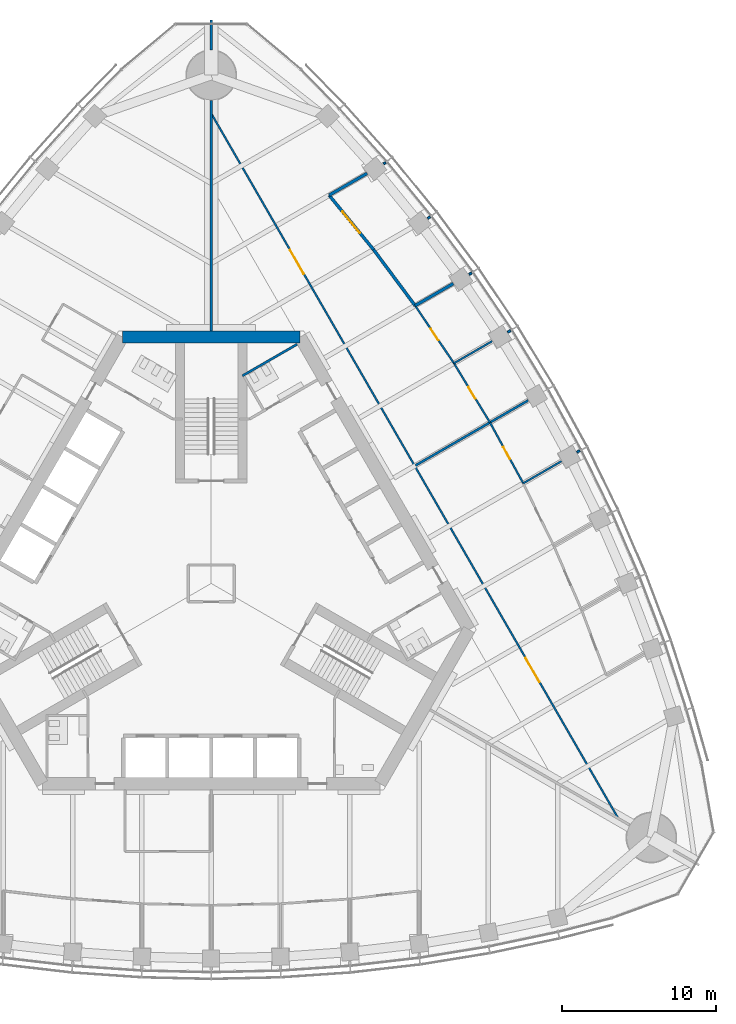
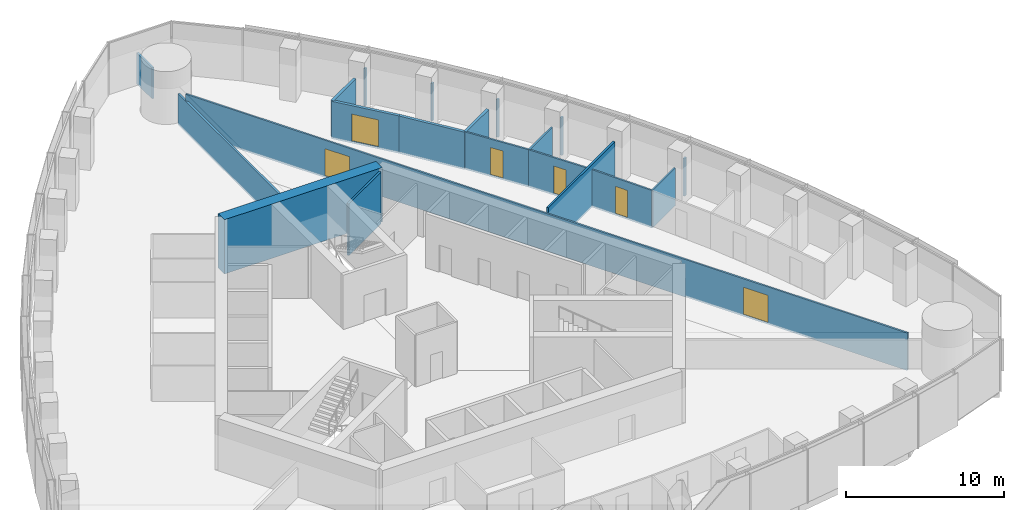
# One storey, part 14 of 20: 20 walls, 6 doors, 6 openings.
"""IFC4 building model written with IfcOpenShell, lengths in metres."""

from ifc_helpers import new_model, si_unit, direction, frame, frame_2d, origin, place, context, subcontext, project, spatial, rectangle, extrude, material, layer, layer_set, type_object, element, fill, save


model = new_model("IFC4")

# Units and contexts
model_context = context("Model", 3, precision=1e-05, world=origin(), true_north=direction((0.0, 1.0)))
body_context = subcontext(model_context, "Body", "Model", "MODEL_VIEW")
ifc_project = project(units=[si_unit("LENGTHUNIT", "METRE"), si_unit("AREAUNIT", "SQUARE_METRE"), si_unit("VOLUMEUNIT", "CUBIC_METRE"), si_unit("PLANEANGLEUNIT", "RADIAN"), si_unit("MASSUNIT", "GRAM", prefix="KILO")], contexts=[model_context])

# Site, building, storey
site_placement = place(None, origin())
site = spatial("IfcSite", under=ifc_project, at=site_placement, CompositionType="ELEMENT")
building_placement = place(site_placement, origin())
building = spatial("IfcBuilding", under=site, at=building_placement, Name="Trefoil Bronze Tower", CompositionType="ELEMENT")
storey_placement = place(building_placement, frame((0.0, 0.0, 210.699951171875)))
storey = spatial("IfcBuildingStorey", under=building, at=storey_placement, Name="L48", CompositionType="ELEMENT", Elevation=210.699951171875)

# Wall, opening, door
ifc_material_1 = material(Name="Gypsum board on steel studs", Category="steel")
ifc_layer_1 = layer(ifc_material_1, 0.199951171875)
ifc_layer_set_1 = layer_set([ifc_layer_1], Name="Acoustic partition 200")
wall_type_1 = type_object("IfcWallType", Name="Acoustic partition 200", PredefinedType="PARTITIONING", material=ifc_layer_set_1)
wall_1_placement = place(storey_placement, frame((10.541015625, 21.67431640625, 0.0), z_axis=(0.0, 0.0, 1.0), x_axis=(-0.632733183181, 0.774369885069, 0.0)))
wall_1 = element("IfcWall", 1, at=wall_1_placement, inside=storey, type_object=wall_type_1, Name="Partition F2 L48", PredefinedType="PARTITIONING", context=body_context, shape_type="SweptSolid", body=[
    extrude(rectangle(XDim=4.559326171875, YDim=0.199951171875, at=frame_2d((2.27978515625, 0.0))), origin(), (0.0, 0.0, 1.0), 2.900146484375),
])
opening_1_placement = place(wall_1_placement, frame((1.39990234375, 0.0, 0.14990234375)))
opening_1 = element("IfcOpeningElement", 2, at=opening_1_placement, cuts=wall_1, Name="Opening D10", PredefinedType="OPENING", context=body_context, shape_type="SweptSolid", body=[
    extrude(rectangle(XDim=1.800048828125, YDim=2.10009765625, at=frame_2d((0.89990234375, 1.050048828125))), frame((0.0, 0.10986328125, 0.0), z_axis=(0.0, -1.0, 0.0), x_axis=(1.0, 0.0, 0.0)), (0.0, 0.0, 1.0), 0.219970703125),
])
ifc_material_2 = material(Name="Timber door", Category="wood")
door_type_1 = type_object("IfcDoorType", Name="Double door 1800", OperationType="DOUBLE_DOOR_SINGLE_SWING", PredefinedType="DOOR", material=ifc_material_2)
door_1_placement = place(opening_1_placement, frame((1.800048828125, 0.0, 0.0), z_axis=(0.0, 0.0, 1.0), x_axis=(-1.0, 0.0, 0.0)))
door_1 = element("IfcDoor", 3, at=door_1_placement, inside=storey, type_object=door_type_1, Name="Boardroom door F2 L48", OperationType="DOUBLE_DOOR_SINGLE_SWING", OverallHeight=2.10009765625, OverallWidth=1.800048828125, PredefinedType="DOOR", context=body_context, shape_type="SweptSolid", body=[
    extrude(rectangle(XDim=1.800048828125, YDim=2.10009765625, at=frame_2d((0.89990234375, 1.050048828125))), frame((0.0, 0.02490234375, 0.0), z_axis=(0.0, -1.0, 0.0), x_axis=(1.0, 0.0, 0.0)), (0.0, 0.0, 1.0), 0.050048828125),
])
fill(opening_1, door_1)

# Walls
wall_2_placement = place(storey_placement, frame((13.24169921875, 18.037353515625, 0.0), z_axis=(0.0, 0.0, 1.0), x_axis=(-0.596173167565, 0.802855873912, 0.0)))
element("IfcWall", 4, at=wall_2_placement, inside=storey, type_object=wall_type_1, Name="Partition F2 L48", PredefinedType="PARTITIONING", context=body_context, shape_type="SweptSolid", body=[
    extrude(rectangle(XDim=4.530029296875, YDim=0.199951171875, at=frame_2d((2.26513671875, 0.0))), origin(), (0.0, 0.0, 1.0), 2.900146484375),
])
wall_3_placement = place(storey_placement, frame((7.65625, 25.204833984375, 0.0), z_axis=(0.0, 0.0, 1.0), x_axis=(0.866022741256, 0.500004611607, 0.0)))
element("IfcWall", 5, at=wall_3_placement, inside=storey, type_object=wall_type_1, Name="Partition F2 L48", PredefinedType="PARTITIONING", context=body_context, shape_type="SweptSolid", body=[
    extrude(rectangle(XDim=2.84619140625, YDim=0.199951171875, at=frame_2d((1.423095703125, 0.0))), origin(), (0.0, 0.0, 1.0), 2.900146484375),
])
wall_4_placement = place(storey_placement, frame((13.24169921875, 18.037353515625, 0.0), z_axis=(0.0, 0.0, 1.0), x_axis=(0.866020927947, 0.500007752297, 0.0)))
element("IfcWall", 6, at=wall_4_placement, inside=storey, type_object=wall_type_1, Name="Partition F2 L48", PredefinedType="PARTITIONING", context=body_context, shape_type="SweptSolid", body=[
    extrude(rectangle(XDim=2.8642578125, YDim=0.199951171875, at=frame_2d((1.43212890625, 0.0))), origin(), (0.0, 0.0, 1.0), 2.900146484375),
])
ifc_material_3 = material(Name="Concrete B80", Category="concrete")
ifc_layer_2 = layer(ifc_material_3, 0.800048828125)
ifc_layer_set_2 = layer_set([ifc_layer_2], Name="Core wall 800")
wall_type_2 = type_object("IfcWallType", Name="Core wall 800", PredefinedType="SHEAR", material=ifc_layer_set_2)
wall_5_placement = place(storey_placement, frame((5.7734375, 16.0, 0.0), z_axis=(0.0, 0.0, 1.0), x_axis=(-1.0, 0.0, 0.0)))
element("IfcWall", 7, at=wall_5_placement, inside=storey, type_object=wall_type_2, Name="Core short wall 2 L48", PredefinedType="SHEAR", context=body_context, shape_type="SweptSolid", body=[
    extrude(rectangle(XDim=11.546875, YDim=0.800048828125, at=frame_2d((5.7734375, 0.0))), origin(), (0.0, 0.0, 1.0), 4.199951171875),
])

# Wall, openings, doors
ifc_material_4 = material(Name="Glazed partition", Category="glass")
ifc_layer_3 = layer(ifc_material_4, 0.1201171875)
ifc_layer_set_3 = layer_set([ifc_layer_3], Name="Glazed partition 120")
wall_type_3 = type_object("IfcWallType", Name="Glazed partition 120", PredefinedType="PARTITIONING", material=ifc_layer_set_3)
wall_6_placement = place(storey_placement, frame((26.41455078125, -15.2314453125, 0.0), z_axis=(0.0, 0.0, 1.0), x_axis=(-0.50000091641, 0.866024874695, 0.0)))
wall_6 = element("IfcWall", 8, at=wall_6_placement, inside=storey, type_object=wall_type_3, Name="Partition F2 L48", PredefinedType="PARTITIONING", context=body_context, shape_type="SweptSolid", body=[
    extrude(rectangle(XDim=52.79638671875, YDim=0.1201171875, at=frame_2d((26.398193359375, 0.0))), origin(), (0.0, 0.0, 1.0), 2.900146484375),
])
opening_2_placement = place(wall_6_placement, frame((10.199951171875, 0.0, 0.14990234375)))
opening_2 = element("IfcOpeningElement", 9, at=opening_2_placement, cuts=wall_6, Name="Opening D10", PredefinedType="OPENING", context=body_context, shape_type="SweptSolid", body=[
    extrude(rectangle(XDim=1.800048828125, YDim=2.10009765625, at=frame_2d((0.89990234375, 1.050048828125))), frame((0.0, 0.070068359375, 0.0), z_axis=(0.0, -1.0, 0.0), x_axis=(1.0, 0.0, 0.0)), (0.0, 0.0, 1.0), 0.14013671875),
])
opening_3_placement = place(wall_6_placement, frame((40.800048828125, 0.0, 0.14990234375)))
opening_3 = element("IfcOpeningElement", 10, at=opening_3_placement, cuts=wall_6, Name="Opening D10", PredefinedType="OPENING", context=body_context, shape_type="SweptSolid", body=[
    extrude(rectangle(XDim=1.800048828125, YDim=2.10009765625, at=frame_2d((0.89990234375, 1.050048828125))), frame((0.0, 0.070068359375, 0.0), z_axis=(0.0, -1.0, 0.0), x_axis=(1.0, 0.0, 0.0)), (0.0, 0.0, 1.0), 0.14013671875),
])
door_2_placement = place(opening_2_placement, origin())
door_2 = element("IfcDoor", 11, at=door_2_placement, inside=storey, type_object=door_type_1, Name="Corridor door F2 L48", OperationType="DOUBLE_DOOR_SINGLE_SWING", OverallHeight=2.10009765625, OverallWidth=1.800048828125, PredefinedType="DOOR", context=body_context, shape_type="SweptSolid", body=[
    extrude(rectangle(XDim=1.800048828125, YDim=2.10009765625, at=frame_2d((0.89990234375, 1.050048828125))), frame((0.0, 0.02490234375, 0.0), z_axis=(0.0, -1.0, 0.0), x_axis=(1.0, 0.0, 0.0)), (0.0, 0.0, 1.0), 0.050048828125),
])
fill(opening_2, door_2)
door_3_placement = place(opening_3_placement, origin())
door_3 = element("IfcDoor", 12, at=door_3_placement, inside=storey, type_object=door_type_1, Name="Corridor door F2 L48", OperationType="DOUBLE_DOOR_SINGLE_SWING", OverallHeight=2.10009765625, OverallWidth=1.800048828125, PredefinedType="DOOR", context=body_context, shape_type="SweptSolid", body=[
    extrude(rectangle(XDim=1.800048828125, YDim=2.10009765625, at=frame_2d((0.89990234375, 1.050048828125))), frame((0.0, 0.02490234375, 0.0), z_axis=(0.0, -1.0, 0.0), x_axis=(1.0, 0.0, 0.0)), (0.0, 0.0, 1.0), 0.050048828125),
])
fill(opening_3, door_3)

# Wall, opening, door
wall_7_placement = place(storey_placement, frame((18.1005859375, 10.450439453125, 0.0), z_axis=(0.0, 0.0, 1.0), x_axis=(-0.519790350351, 0.85429385558, 0.0)))
wall_7 = element("IfcWall", 13, at=wall_7_placement, inside=storey, type_object=wall_type_3, Name="Partition F2 L48", PredefinedType="PARTITIONING", context=body_context, shape_type="SweptSolid", body=[
    extrude(rectangle(XDim=4.5009765625, YDim=0.1201171875, at=frame_2d((2.25048828125, 0.0))), origin(), (0.0, 0.0, 1.0), 2.900146484375),
])
opening_4_placement = place(wall_7_placement, frame((1.800048828125, 0.0, 0.14990234375)))
opening_4 = element("IfcOpeningElement", 14, at=opening_4_placement, cuts=wall_7, Name="Opening D8", PredefinedType="OPENING", context=body_context, shape_type="SweptSolid", body=[
    extrude(rectangle(XDim=0.89990234375, YDim=2.10009765625, at=frame_2d((0.449951171875, 1.050048828125))), frame((0.0, 0.070068359375, 0.0), z_axis=(0.0, -1.0, 0.0), x_axis=(1.0, 0.0, 0.0)), (0.0, 0.0, 1.0), 0.14013671875),
])
ifc_material_5 = material(Name="Timber door", Category="wood")
door_type_2 = type_object("IfcDoorType", Name="Office door 900", OperationType="SINGLE_SWING_LEFT", PredefinedType="DOOR", material=ifc_material_5)
door_4_placement = place(opening_4_placement, frame((0.89990234375, 0.0, 0.0), z_axis=(0.0, 0.0, 1.0), x_axis=(-1.0, 0.0, 0.0)))
door_4 = element("IfcDoor", 15, at=door_4_placement, inside=storey, type_object=door_type_2, Name="Office door F2 L48", OperationType="SINGLE_SWING_RIGHT", OverallHeight=2.10009765625, OverallWidth=0.89990234375, PredefinedType="DOOR", context=body_context, shape_type="SweptSolid", body=[
    extrude(rectangle(XDim=0.89990234375, YDim=2.10009765625, at=frame_2d((0.449951171875, 1.050048828125))), frame((0.0, 0.02490234375, 0.0), z_axis=(0.0, -1.0, 0.0), x_axis=(1.0, 0.0, 0.0)), (0.0, 0.0, 1.0), 0.050048828125),
])
fill(opening_4, door_4)

wall_8_placement = place(storey_placement, frame((15.760986328125, 14.295654296875, 0.0), z_axis=(0.0, 0.0, 1.0), x_axis=(-0.55850386778, 0.829501916619, 0.0)))
wall_8 = element("IfcWall", 16, at=wall_8_placement, inside=storey, type_object=wall_type_3, Name="Partition F2 L48", PredefinedType="PARTITIONING", context=body_context, shape_type="SweptSolid", body=[
    extrude(rectangle(XDim=4.5107421875, YDim=0.1201171875, at=frame_2d((2.25537109375, 0.0))), origin(), (0.0, 0.0, 1.0), 2.900146484375),
])
opening_5_placement = place(wall_8_placement, frame((1.800048828125, 0.0, 0.14990234375)))
opening_5 = element("IfcOpeningElement", 17, at=opening_5_placement, cuts=wall_8, Name="Opening D8", PredefinedType="OPENING", context=body_context, shape_type="SweptSolid", body=[
    extrude(rectangle(XDim=0.89990234375, YDim=2.10009765625, at=frame_2d((0.449951171875, 1.050048828125))), frame((0.0, 0.070068359375, 0.0), z_axis=(0.0, -1.0, 0.0), x_axis=(1.0, 0.0, 0.0)), (0.0, 0.0, 1.0), 0.14013671875),
])
door_5_placement = place(opening_5_placement, frame((0.89990234375, 0.0, 0.0), z_axis=(0.0, 0.0, 1.0), x_axis=(-1.0, 0.0, 0.0)))
door_5 = element("IfcDoor", 18, at=door_5_placement, inside=storey, type_object=door_type_2, Name="Office door F2 L48", OperationType="SINGLE_SWING_RIGHT", OverallHeight=2.10009765625, OverallWidth=0.89990234375, PredefinedType="DOOR", context=body_context, shape_type="SweptSolid", body=[
    extrude(rectangle(XDim=0.89990234375, YDim=2.10009765625, at=frame_2d((0.449951171875, 1.050048828125))), frame((0.0, 0.02490234375, 0.0), z_axis=(0.0, -1.0, 0.0), x_axis=(1.0, 0.0, 0.0)), (0.0, 0.0, 1.0), 0.050048828125),
])
fill(opening_5, door_5)

wall_9_placement = place(storey_placement, frame((20.260986328125, 6.50146484375, 0.0), z_axis=(0.0, 0.0, 1.0), x_axis=(-0.479949984371, 0.877295852322, 0.0)))
wall_9 = element("IfcWall", 19, at=wall_9_placement, inside=storey, type_object=wall_type_3, Name="Partition F2 L48", PredefinedType="PARTITIONING", context=body_context, shape_type="SweptSolid", body=[
    extrude(rectangle(XDim=4.501220703125, YDim=0.1201171875, at=frame_2d((2.25048828125, 0.0))), origin(), (0.0, 0.0, 1.0), 2.900146484375),
])
opening_6_placement = place(wall_9_placement, frame((1.800048828125, 0.0, 0.14990234375)))
opening_6 = element("IfcOpeningElement", 20, at=opening_6_placement, cuts=wall_9, Name="Opening D8", PredefinedType="OPENING", context=body_context, shape_type="SweptSolid", body=[
    extrude(rectangle(XDim=0.89990234375, YDim=2.10009765625, at=frame_2d((0.449951171875, 1.050048828125))), frame((0.0, 0.070068359375, 0.0), z_axis=(0.0, -1.0, 0.0), x_axis=(1.0, 0.0, 0.0)), (0.0, 0.0, 1.0), 0.14013671875),
])
door_6_placement = place(opening_6_placement, frame((0.89990234375, 0.0, 0.0), z_axis=(0.0, 0.0, 1.0), x_axis=(-1.0, 0.0, 0.0)))
door_6 = element("IfcDoor", 21, at=door_6_placement, inside=storey, type_object=door_type_2, Name="Office door F2 L48", OperationType="SINGLE_SWING_RIGHT", OverallHeight=2.10009765625, OverallWidth=0.89990234375, PredefinedType="DOOR", context=body_context, shape_type="SweptSolid", body=[
    extrude(rectangle(XDim=0.89990234375, YDim=2.10009765625, at=frame_2d((0.449951171875, 1.050048828125))), frame((0.0, 0.02490234375, 0.0), z_axis=(0.0, -1.0, 0.0), x_axis=(1.0, 0.0, 0.0)), (0.0, 0.0, 1.0), 0.050048828125),
])
fill(opening_6, door_6)

# Walls
for number, where, z_axis, x_axis, name in (
    (22, (15.760986328125, 14.295654296875, 0.0), (0.0, 0.0, 1.0), (0.866008413041, 0.500029427677, 0.0), "Partition F2 L48"),
    (23, (20.260986328125, 6.50146484375, 0.0), (0.0, 0.0, 1.0), (0.866008413041, 0.500029427677, 0.0), "Partition F2 L48"),
):
    element("IfcWall", number, at=place(storey_placement, frame(where, z_axis=z_axis, x_axis=x_axis)), inside=storey, type_object=wall_type_3, Name=name, PredefinedType="PARTITIONING", context=body_context, shape_type="SweptSolid", body=[
        extrude(rectangle(XDim=2.868408203125, YDim=0.1201171875, at=frame_2d((1.43408203125, 0.0))), origin(), (0.0, 0.0, 1.0), 2.900146484375),
    ])
ifc_material_6 = material(Name="Gypsum board on steel studs", Category="steel")
ifc_layer_4 = layer(ifc_material_6, 0.14990234375)
ifc_layer_set_4 = layer_set([ifc_layer_4], Name="Partition 150")
wall_type_4 = type_object("IfcWallType", Name="Partition 150", PredefinedType="PARTITIONING", material=ifc_layer_set_4)
wall_10_placement = place(storey_placement, frame((2.03125, 13.48193359375, 0.0), z_axis=(0.0, 0.0, 1.0), x_axis=(0.866050731258, 0.499956128963, 0.0)))
element("IfcWall", 24, at=wall_10_placement, inside=storey, type_object=wall_type_4, Name="WC partition WC (men) L48", PredefinedType="PARTITIONING", context=body_context, shape_type="SweptSolid", body=[
    extrude(rectangle(XDim=4.099853515625, YDim=0.14990234375, at=frame_2d((2.0498046875, 0.0))), origin(), (0.0, 0.0, 1.0), 4.0),
])
wall_11_placement = place(storey_placement, frame((14.063232421875, 23.707763671875, 0.0), z_axis=(0.0, 0.0, 1.0), x_axis=(0.865614066289, 0.500711781609, 0.0)))
element("IfcWall", 25, at=wall_11_placement, inside=storey, type_object=wall_type_4, Name="Partition F2 L48", PredefinedType="PARTITIONING", context=body_context, shape_type="SweptSolid", body=[
    extrude(rectangle(XDim=0.177978515625, YDim=0.14990234375, at=frame_2d((0.0888671875, 0.0))), origin(), (0.0, 0.0, 1.0), 2.900146484375),
])
wall_12_placement = place(storey_placement, frame((11.19140625, 27.245849609375, 0.0), z_axis=(0.0, 0.0, 1.0), x_axis=(0.865836232376, 0.500327511442, 0.0)))
element("IfcWall", 26, at=wall_12_placement, inside=storey, type_object=wall_type_4, Name="Partition F2 L48", PredefinedType="PARTITIONING", context=body_context, shape_type="SweptSolid", body=[
    extrude(rectangle(XDim=0.1630859375, YDim=0.14990234375, at=frame_2d((0.08154296875, 0.0))), origin(), (0.0, 0.0, 1.0), 2.900146484375),
])
wall_13_placement = place(storey_placement, frame((19.249267578125, 16.3095703125, 0.0), z_axis=(0.0, 0.0, 1.0), x_axis=(0.865810949009, 0.500371262739, 0.0)))
element("IfcWall", 27, at=wall_13_placement, inside=storey, type_object=wall_type_4, Name="Partition F2 L48", PredefinedType="PARTITIONING", context=body_context, shape_type="SweptSolid", body=[
    extrude(rectangle(XDim=0.217041015625, YDim=0.14990234375, at=frame_2d((0.1083984375, 0.0))), origin(), (0.0, 0.0, 1.0), 2.900146484375),
])
wall_14_placement = place(storey_placement, frame((16.748291015625, 20.061767578125, 0.0), z_axis=(0.0, 0.0, 1.0), x_axis=(0.865625187776, 0.500692554656, 0.0)))
element("IfcWall", 28, at=wall_14_placement, inside=storey, type_object=wall_type_4, Name="Partition F2 L48", PredefinedType="PARTITIONING", context=body_context, shape_type="SweptSolid", body=[
    extrude(rectangle(XDim=0.196044921875, YDim=0.14990234375, at=frame_2d((0.09814453125, 0.0))), origin(), (0.0, 0.0, 1.0), 2.900146484375),
])
wall_15_placement = place(storey_placement, frame((23.749267578125, 8.515380859375, 0.0), z_axis=(0.0, 0.0, 1.0), x_axis=(0.865810949009, 0.500371262739, 0.0)))
element("IfcWall", 29, at=wall_15_placement, inside=storey, type_object=wall_type_4, Name="Partition F2 L48", PredefinedType="PARTITIONING", context=body_context, shape_type="SweptSolid", body=[
    extrude(rectangle(XDim=0.217041015625, YDim=0.14990234375, at=frame_2d((0.1083984375, 0.0))), origin(), (0.0, 0.0, 1.0), 2.900146484375),
])
ifc_material_7 = material(Name="Gypsum board on steel studs", Category="steel")
ifc_layer_5 = layer(ifc_material_7, 0.14990234375)
ifc_layer_set_5 = layer_set([ifc_layer_5], Name="Party wall 150")
wall_type_5 = type_object("IfcWallType", Name="Party wall 150", PredefinedType="PARTITIONING", material=ifc_layer_set_5)
wall_16_placement = place(storey_placement, frame((0.0, 16.39990234375, 0.0), z_axis=(0.0, 0.0, 1.0), x_axis=(0.0, 1.0, 0.0)))
element("IfcWall", 30, at=wall_16_placement, inside=storey, type_object=wall_type_5, Name="Party wall K2 L48", PredefinedType="PARTITIONING", context=body_context, shape_type="SweptSolid", body=[
    extrude(rectangle(XDim=14.9501953125, YDim=0.14990234375, at=frame_2d((7.47509765625, 0.0))), origin(), (0.0, 0.0, 1.0), 2.400146484375),
])
wall_17_placement = place(storey_placement, frame((0.0, 34.64990234375, 0.0), z_axis=(0.0, 0.0, 1.0), x_axis=(0.0, 1.0, 0.0)))
element("IfcWall", 31, at=wall_17_placement, inside=storey, type_object=wall_type_5, Name="Party wall K2 L48", PredefinedType="PARTITIONING", context=body_context, shape_type="SweptSolid", body=[
    extrude(rectangle(XDim=1.934814453125, YDim=0.14990234375, at=frame_2d((0.96728515625, 0.0))), origin(), (0.0, 0.0, 1.0), 2.400146484375),
])
wall_18_placement = place(storey_placement, frame((13.267578125, 7.659912109375, 0.0), z_axis=(0.0, 0.0, 1.0), x_axis=(0.866021046153, 0.500007547564, 0.0)))
element("IfcWall", 32, at=wall_18_placement, inside=storey, type_object=wall_type_5, Name="Demising wall F2 L48", PredefinedType="PARTITIONING", context=body_context, shape_type="SweptSolid", body=[
    extrude(rectangle(XDim=8.450439453125, YDim=0.14990234375, at=frame_2d((4.22509765625, 0.0))), origin(), (0.0, 0.0, 1.0), 3.300048828125),
])

save(model, "model.ifc")
